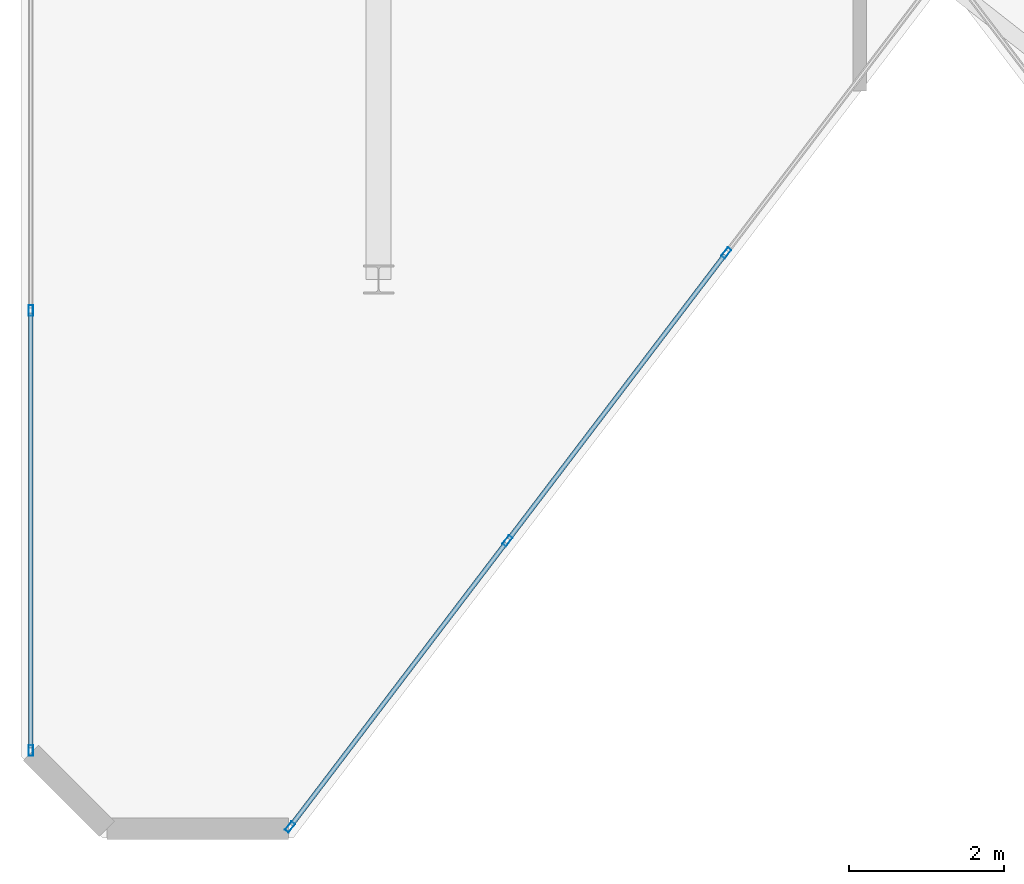
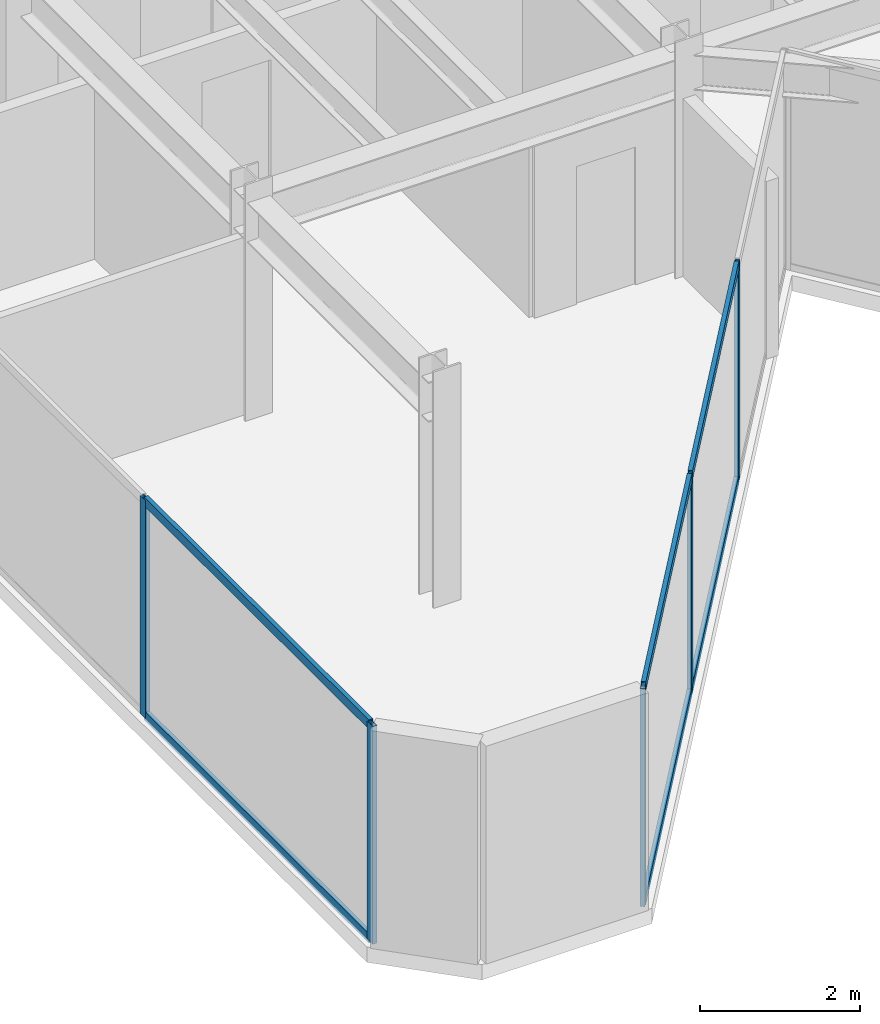
# One storey, part 2 of 16: 11 members, 2 elements without a shape of their own.
"""IFC4 building model written with IfcOpenShell, lengths in metres."""

import ifcopenshell
import ifcopenshell.guid

model = None  # the IFC model being written
_history = None  # IfcOwnerHistory: only IFC2X3 demands one
_inside = {}  # id of a spatial element -> (the spatial element, [elements in it])
_under = {}  # id of a project, library or spatial element -> (it, [spatial elements below it])
_declared = {}  # id of a project -> (the project, [libraries it declares])
_typed = {}  # id of a type object -> (the type object, [elements of that type])
_made_of = {}  # id of a material, layer set ... -> (it, [elements and type objects made of it])


def new_model(schema):
    """Start an empty IFC model of exactly this schema.

    Asked for "IFC4X3", IfcOpenShell would pick the latest addendum, in which some entities
    have other attributes; the version numbers below select the first issue.
    IFC2X3 requires an IfcOwnerHistory on every rooted entity: one is made here for all.
    """
    global model, _history
    if schema == "IFC4X3":
        model = ifcopenshell.file(schema_version=(4, 3, 0, 0))
    else:
        model = ifcopenshell.file(schema=schema)
    _inside.clear()
    _under.clear()
    _declared.clear()
    _typed.clear()
    _made_of.clear()
    _history = None
    if model.schema == "IFC2X3":
        org = make("IfcOrganization", Name="unknown")
        user = make(
            "IfcPersonAndOrganization",
            ThePerson=make("IfcPerson", FamilyName="unknown"),
            TheOrganization=org,
        )
        app = make(
            "IfcApplication",
            ApplicationDeveloper=org,
            Version="unknown",
            ApplicationFullName="unknown",
            ApplicationIdentifier="unknown",
        )
        _history = make(
            "IfcOwnerHistory",
            OwningUser=user,
            OwningApplication=app,
            ChangeAction="ADDED",
            CreationDate=0,
        )
    return model


def make(cls, **values):
    """One entity of the class cls with the attributes given. An attribute that is None is left unset."""
    return model.create_entity(
        cls, **{name: value for name, value in values.items() if value is not None}
    )


def rooted(cls, **values):
    """An entity with a GlobalId (a new one), such as an element, a storey or a relation."""
    return make(cls, GlobalId=ifcopenshell.guid.new(), OwnerHistory=_history, **values)


def si_unit(unit_type, name, prefix=None):
    """IfcSIUnit, for example si_unit("LENGTHUNIT", "METRE", prefix="MILLI")."""
    return make("IfcSIUnit", UnitType=unit_type, Prefix=prefix, Name=name)


def assignment(units):
    """IfcUnitAssignment: the units of a project."""
    return None if units is None else make("IfcUnitAssignment", Units=units)


def point(xyz):
    """IfcCartesianPoint."""
    return None if xyz is None else make("IfcCartesianPoint", Coordinates=xyz)


def direction(xyz):
    """IfcDirection."""
    return None if xyz is None else make("IfcDirection", DirectionRatios=xyz)


def frame(location, z_axis=None, x_axis=None):
    """IfcAxis2Placement3D, a coordinate frame: its origin and axes. An axis left out is left unset."""
    return make(
        "IfcAxis2Placement3D",
        Location=point(location),
        Axis=direction(z_axis),
        RefDirection=direction(x_axis),
    )


def frame_2d(location, x_axis=None):
    """IfcAxis2Placement2D, a coordinate frame in the plane: its origin and x axis."""
    return make(
        "IfcAxis2Placement2D", Location=point(location), RefDirection=direction(x_axis)
    )


def origin():
    """The frame at (0, 0, 0) with its axes left unset."""
    return frame((0.0, 0.0, 0.0))


def origin_2d():
    """The frame at (0, 0) in the plane with its x axis left unset."""
    return frame_2d((0.0, 0.0))


def place(relative_to, where):
    """IfcLocalPlacement: puts the frame where relative to a parent placement (None: the world)."""
    return make(
        "IfcLocalPlacement", PlacementRelTo=relative_to, RelativePlacement=where
    )


def context(
    kind, dimensions, precision=None, world=None, true_north=None, identifier=None
):
    """IfcGeometricRepresentationContext, for example the 3D "Model" context."""
    return make(
        "IfcGeometricRepresentationContext",
        ContextIdentifier=identifier,
        ContextType=kind,
        CoordinateSpaceDimension=dimensions,
        Precision=precision,
        WorldCoordinateSystem=world,
        TrueNorth=true_north,
    )


def subcontext(parent, identifier, kind, view, scale=None):
    """IfcGeometricRepresentationSubContext, for example "Body" below "Model"."""
    return make(
        "IfcGeometricRepresentationSubContext",
        ContextIdentifier=identifier,
        ContextType=kind,
        ParentContext=parent,
        TargetScale=scale,
        TargetView=view,
    )


def project(units=None, contexts=None):
    """IfcProject with its units and contexts."""
    return rooted(
        "IfcProject",
        Name="project",
        RepresentationContexts=contexts,
        UnitsInContext=assignment(units),
    )


def spatial(cls, under=None, at=None, **own):
    """A site, building, storey or space (cls), placed at a placement, below another one or the project."""
    s = rooted(cls, ObjectPlacement=at, **own)
    if under is not None:
        _under.setdefault(under.id(), (under, []))[1].append(s)
    return s


def profile(cls, at=None, kind="AREA", **sizes):
    """A parametric profile (cls). Its sizes go by their IFC names, for example OverallWidth=200.0."""
    return make(cls, ProfileType=kind, Position=at, **sizes)


def hollow_rectangle(**sizes):
    """IfcRectangleHollowProfileDef."""
    return profile("IfcRectangleHollowProfileDef", **sizes)


def extrude(swept, where, along, depth):
    """IfcExtrudedAreaSolid: the profile swept, set in the frame where, extruded along a direction by depth."""
    return make(
        "IfcExtrudedAreaSolid",
        SweptArea=swept,
        Position=where,
        ExtrudedDirection=direction(along),
        Depth=depth,
    )


def shape(context_of_items, identifier, shape_type, items):
    """IfcShapeRepresentation: the items that make up one representation, for example the "Body"."""
    return make(
        "IfcShapeRepresentation",
        ContextOfItems=context_of_items,
        RepresentationIdentifier=identifier,
        RepresentationType=shape_type,
        Items=items,
    )


def material(Name=None, Category=None):
    """IfcMaterial."""
    return make("IfcMaterial", Name=Name, Category=Category)


def layer(
    of_material, thickness, ventilated=None, Name=None, Category=None, Priority=None
):
    """IfcMaterialLayer: one layer of a wall or slab, of a material (None: an air gap)."""
    return make(
        "IfcMaterialLayer",
        Material=of_material,
        LayerThickness=thickness,
        IsVentilated=ventilated,
        Name=Name,
        Category=Category,
        Priority=Priority,
    )


def layer_set(layers, Name=None):
    """IfcMaterialLayerSet."""
    return make("IfcMaterialLayerSet", MaterialLayers=layers, LayerSetName=Name)


def material_profile(
    of_material, cross_section, Name=None, Category=None, Priority=None
):
    """IfcMaterialProfile: a cross section and its material."""
    return make(
        "IfcMaterialProfile",
        Name=Name,
        Material=of_material,
        Profile=cross_section,
        Priority=Priority,
        Category=Category,
    )


def profile_set(profiles, Name=None, composite=None):
    """IfcMaterialProfileSet."""
    return make(
        "IfcMaterialProfileSet",
        Name=Name,
        MaterialProfiles=profiles,
        CompositeProfile=composite,
    )


def made_of(thing, what):
    """Note that an element or type object is made of a material, layer set ...; save() writes the relation."""
    if what is not None:
        _made_of.setdefault(what.id(), (what, []))[1].append(thing)
    return thing


def type_object(cls, material=None, **own):
    """A type object (cls), such as IfcWallType, which elements share."""
    return made_of(rooted(cls, **own), material)


def element(
    cls,
    number,
    at=None,
    inside=None,
    cuts=None,
    type_object=None,
    material=None,
    context=None,
    identifier="Body",
    shape_type=None,
    held_by="IfcProductDefinitionShape",
    body=None,
    shapes=None,
    **own,
):
    """One element of the class cls, such as IfcWall. Its Tag is "e" and its number.

    at: its placement. inside: the storey or other place that contains it. cuts: it is an
    opening in that element (IfcRelVoidsElement). A single representation is given by context,
    identifier, shape_type and body (its items); several are given by shapes. held_by: the class
    of the entity that holds the representations. save() writes the other relations.
    """
    e = rooted(cls, Tag="e%d" % number, ObjectPlacement=at, **own)
    if body is not None:
        shapes = [shape(context, identifier, shape_type, body)]
    if shapes is not None:
        e.Representation = make(held_by, Representations=shapes)
    if inside is not None:
        _inside.setdefault(inside.id(), (inside, []))[1].append(e)
    if cuts is not None:
        rooted(
            "IfcRelVoidsElement", RelatingBuildingElement=cuts, RelatedOpeningElement=e
        )
    if type_object is not None:
        _typed.setdefault(type_object.id(), (type_object, []))[1].append(e)
    return made_of(e, material)


def aggregate(whole, parts):
    """IfcRelAggregates: a whole, such as a stair, and the parts it consists of."""
    return rooted("IfcRelAggregates", RelatingObject=whole, RelatedObjects=parts)


def save(model, path):
    """Write the relations noted so far, then the file.

    IfcRelAggregates (storeys below a building ...), IfcRelContainedInSpatialStructure (elements
    in a storey), IfcRelDefinesByType, IfcRelAssociatesMaterial and IfcRelDeclares: one each for
    every whole, place, type object, material and project.
    """
    for whole, parts in _under.values():
        aggregate(whole, parts)
    for where, things in _inside.values():
        rooted(
            "IfcRelContainedInSpatialStructure",
            RelatedElements=things,
            RelatingStructure=where,
        )
    for kind, things in _typed.values():
        rooted("IfcRelDefinesByType", RelatedObjects=things, RelatingType=kind)
    for what, things in _made_of.values():
        rooted("IfcRelAssociatesMaterial", RelatedObjects=things, RelatingMaterial=what)
    for by, libraries in _declared.values():
        rooted("IfcRelDeclares", RelatingContext=by, RelatedDefinitions=libraries)
    model.write(path)


model = new_model("IFC4")

# Units and contexts
model_context = context("Model", 3, precision=1e-05, world=origin(), true_north=direction((0.0, 1.0)))
body_context = subcontext(model_context, "Body", "Model", "MODEL_VIEW")
ifc_project = project(units=[si_unit("LENGTHUNIT", "METRE"), si_unit("AREAUNIT", "SQUARE_METRE"), si_unit("VOLUMEUNIT", "CUBIC_METRE"), si_unit("PLANEANGLEUNIT", "RADIAN"), si_unit("MASSUNIT", "GRAM", prefix="KILO")], contexts=[model_context])

# Site, building, storey
site_placement = place(None, origin())
site = spatial("IfcSite", under=ifc_project, at=site_placement, CompositionType="ELEMENT")
building_placement = place(site_placement, origin())
building = spatial("IfcBuilding", under=site, at=building_placement, Name="Kravanh Interchange Tower", CompositionType="ELEMENT")
storey_placement = place(building_placement, frame((0.0, 0.0, 307.5)))
storey = spatial("IfcBuildingStorey", under=building, at=storey_placement, Name="L76", CompositionType="ELEMENT", Elevation=307.5)

# Curtain wall, members
ifc_material_1 = material(Name="Anodised Bronze Aluminium", Category="aluminium")
ifc_layer = layer(ifc_material_1, 0.179931640625)
ifc_layer_set = layer_set([ifc_layer], Name="Unitised Curtain Wall System CW-HTL Luxury Hotel")
curtain_wall_type = type_object("IfcCurtainWallType", Name="Unitised Curtain Wall System CW-HTL Luxury Hotel", PredefinedType="NOTDEFINED", material=ifc_layer_set)
curtain_wall_1_placement = place(storey_placement, origin())
curtain_wall_1 = element("IfcCurtainWall", 1, at=curtain_wall_1_placement, inside=storey, type_object=curtain_wall_type, Name="L76 Unitised Curtain Wall CW-L76-01", PredefinedType="NOTDEFINED")
ifc_material_2 = material(Name="Anodised Bronze Aluminium", Category="aluminium")
ifc_material_profile_1 = material_profile(ifc_material_2, hollow_rectangle(XDim=0.06005859375, YDim=0.139892578125, WallThickness=0.00390625, at=origin_2d()), Name="ALU60X140X4")
ifc_profile_set_1 = profile_set([ifc_material_profile_1], Name="Anodised Bronze Aluminium")
member_type_1 = type_object("IfcMemberType", Name="Curtain Wall Mullion ALU60X140X4 Bronze", PredefinedType="MULLION", material=ifc_profile_set_1)
member_1_placement = place(storey_placement, frame((34.1201171875, 20.729736328125, 0.0), z_axis=(0.0, 0.0, 1.0), x_axis=(-1.0, 0.0, 0.0)))
member_1 = element("IfcMember", 2, at=member_1_placement, type_object=member_type_1, Name="CW-HTL mullion 1", PredefinedType="MULLION", context=body_context, shape_type="SweptSolid", body=[
    extrude(hollow_rectangle(XDim=0.06005859375, YDim=0.139892578125, WallThickness=0.00390625, at=origin_2d()), origin(), (0.0, 0.0, 1.0), 3.320068359375),
])
member_2_placement = place(storey_placement, frame((34.1201171875, 26.39990234375, 0.0), z_axis=(0.0, 0.0, 1.0), x_axis=(-1.0, 0.0, 0.0)))
member_2 = element("IfcMember", 3, at=member_2_placement, type_object=member_type_1, Name="CW-HTL mullion 2", PredefinedType="MULLION", context=body_context, shape_type="SweptSolid", body=[
    extrude(hollow_rectangle(XDim=0.06005859375, YDim=0.139892578125, WallThickness=0.00390625, at=origin_2d()), origin(), (0.0, 0.0, 1.0), 3.320068359375),
])

curtain_wall_2_placement = place(storey_placement, origin())
curtain_wall_2 = element("IfcCurtainWall", 4, at=curtain_wall_2_placement, inside=storey, type_object=curtain_wall_type, Name="L76 Unitised Curtain Wall CW-L76-05", PredefinedType="NOTDEFINED")
member_3_placement = place(storey_placement, frame((43.080078125, 27.140625, 0.0), z_axis=(0.0, 0.0, 1.0), x_axis=(0.796161642797, -0.605083992962, 0.0)))
member_3 = element("IfcMember", 5, at=member_3_placement, type_object=member_type_1, Name="CW-HTL mullion 2", PredefinedType="MULLION", context=body_context, shape_type="SweptSolid", body=[
    extrude(hollow_rectangle(XDim=0.06005859375, YDim=0.139892578125, WallThickness=0.00390625, at=origin_2d()), origin(), (0.0, 0.0, 1.0), 3.320068359375),
])
member_4_placement = place(storey_placement, frame((40.26025390625, 23.430419921875, 0.0), z_axis=(0.0, 0.0, 1.0), x_axis=(0.796161642797, -0.605083992962, 0.0)))
member_4 = element("IfcMember", 6, at=member_4_placement, type_object=member_type_1, Name="CW-HTL mullion 3", PredefinedType="MULLION", context=body_context, shape_type="SweptSolid", body=[
    extrude(hollow_rectangle(XDim=0.06005859375, YDim=0.139892578125, WallThickness=0.00390625, at=origin_2d()), origin(), (0.0, 0.0, 1.0), 3.320068359375),
])
member_5_placement = place(storey_placement, frame((37.458740234375, 19.743896484375, 0.0), z_axis=(0.0, 0.0, 1.0), x_axis=(0.796161642797, -0.605083992962, 0.0)))
member_5 = element("IfcMember", 7, at=member_5_placement, type_object=member_type_1, Name="CW-HTL mullion 4", PredefinedType="MULLION", context=body_context, shape_type="SweptSolid", body=[
    extrude(hollow_rectangle(XDim=0.06005859375, YDim=0.139892578125, WallThickness=0.00390625, at=origin_2d()), origin(), (0.0, 0.0, 1.0), 3.320068359375),
])

# Member
ifc_material_3 = material(Name="Anodised Bronze Aluminium", Category="aluminium")
ifc_material_profile_2 = material_profile(ifc_material_3, hollow_rectangle(XDim=0.06005859375, YDim=0.139892578125, WallThickness=0.00390625, at=origin_2d()), Name="ALU60X140X4")
ifc_profile_set_2 = profile_set([ifc_material_profile_2], Name="Anodised Bronze Aluminium")
member_type_2 = type_object("IfcMemberType", Name="Curtain Wall Transom ALU60X140X4 Bronze", PredefinedType="USERDEFINED", material=ifc_profile_set_2)
member_6_placement = place(storey_placement, frame((34.1201171875, 20.759765625, 0.030029296875), z_axis=(0.0, 1.0, 0.0), x_axis=(-1.0, 0.0, 0.0)))
member_6 = element("IfcMember", 8, at=member_6_placement, type_object=member_type_2, Name="CW-HTL transom 1.1", ObjectType="TRANSOM", PredefinedType="USERDEFINED", context=body_context, shape_type="SweptSolid", body=[
    extrude(hollow_rectangle(XDim=0.06005859375, YDim=0.139892578125, WallThickness=0.00390625, at=origin_2d()), origin(), (0.0, 0.0, 1.0), 5.610107421875),
])

member_7_placement = place(storey_placement, frame((34.1201171875, 20.759765625, 3.2900390625), z_axis=(0.0, 1.0, 0.0), x_axis=(-1.0, 0.0, 0.0)))
member_7 = element("IfcMember", 9, at=member_7_placement, type_object=member_type_2, Name="CW-HTL transom 1.2", ObjectType="TRANSOM", PredefinedType="USERDEFINED", context=body_context, shape_type="SweptSolid", body=[
    extrude(hollow_rectangle(XDim=0.06005859375, YDim=0.139892578125, WallThickness=0.00390625, at=origin_2d()), origin(), (0.0, 0.0, 1.0), 5.610107421875),
])

aggregate(curtain_wall_1, [member_1, member_2, member_6, member_7])

member_8_placement = place(storey_placement, frame((43.06201171875, 27.11669921875, 0.030029296875), z_axis=(-0.605065774315, -0.796175488666, 0.0), x_axis=(0.796175488666, -0.605065774315, 0.0)))
member_8 = element("IfcMember", 10, at=member_8_placement, type_object=member_type_2, Name="CW-HTL transom 2.1", ObjectType="TRANSOM", PredefinedType="USERDEFINED", context=body_context, shape_type="SweptSolid", body=[
    extrude(hollow_rectangle(XDim=0.06005859375, YDim=0.139892578125, WallThickness=0.00390625, at=origin_2d()), origin(), (0.0, 0.0, 1.0), 4.600341796875),
])

member_9_placement = place(storey_placement, frame((43.06201171875, 27.11669921875, 3.2900390625), z_axis=(-0.605065774315, -0.796175488666, 0.0), x_axis=(0.796175488666, -0.605065774315, 0.0)))
member_9 = element("IfcMember", 11, at=member_9_placement, type_object=member_type_2, Name="CW-HTL transom 2.2", ObjectType="TRANSOM", PredefinedType="USERDEFINED", context=body_context, shape_type="SweptSolid", body=[
    extrude(hollow_rectangle(XDim=0.06005859375, YDim=0.139892578125, WallThickness=0.00390625, at=origin_2d()), origin(), (0.0, 0.0, 1.0), 4.600341796875),
])

member_10_placement = place(storey_placement, frame((40.2421875, 23.406494140625, 0.030029296875), z_axis=(-0.605081913085, -0.796163223502, 0.0), x_axis=(0.796163223502, -0.605081913085, 0.0)))
member_10 = element("IfcMember", 12, at=member_10_placement, type_object=member_type_2, Name="CW-HTL transom 3.1", ObjectType="TRANSOM", PredefinedType="USERDEFINED", context=body_context, shape_type="SweptSolid", body=[
    extrude(hollow_rectangle(XDim=0.06005859375, YDim=0.139892578125, WallThickness=0.00390625, at=origin_2d()), origin(), (0.0, 0.0, 1.0), 4.5703125),
])

member_11_placement = place(storey_placement, frame((40.2421875, 23.406494140625, 3.2900390625), z_axis=(-0.605081913085, -0.796163223502, 0.0), x_axis=(0.796163223502, -0.605081913085, 0.0)))
member_11 = element("IfcMember", 13, at=member_11_placement, type_object=member_type_2, Name="CW-HTL transom 3.2", ObjectType="TRANSOM", PredefinedType="USERDEFINED", context=body_context, shape_type="SweptSolid", body=[
    extrude(hollow_rectangle(XDim=0.06005859375, YDim=0.139892578125, WallThickness=0.00390625, at=origin_2d()), origin(), (0.0, 0.0, 1.0), 4.5703125),
])

aggregate(curtain_wall_2, [member_3, member_4, member_5, member_8, member_9, member_10, member_11])

save(model, "model.ifc")
